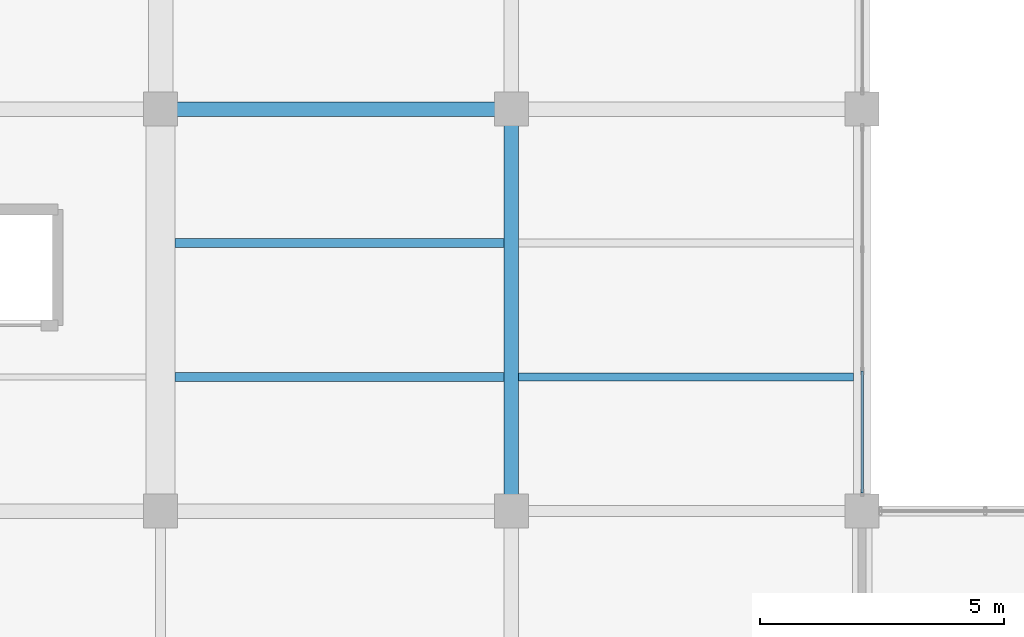
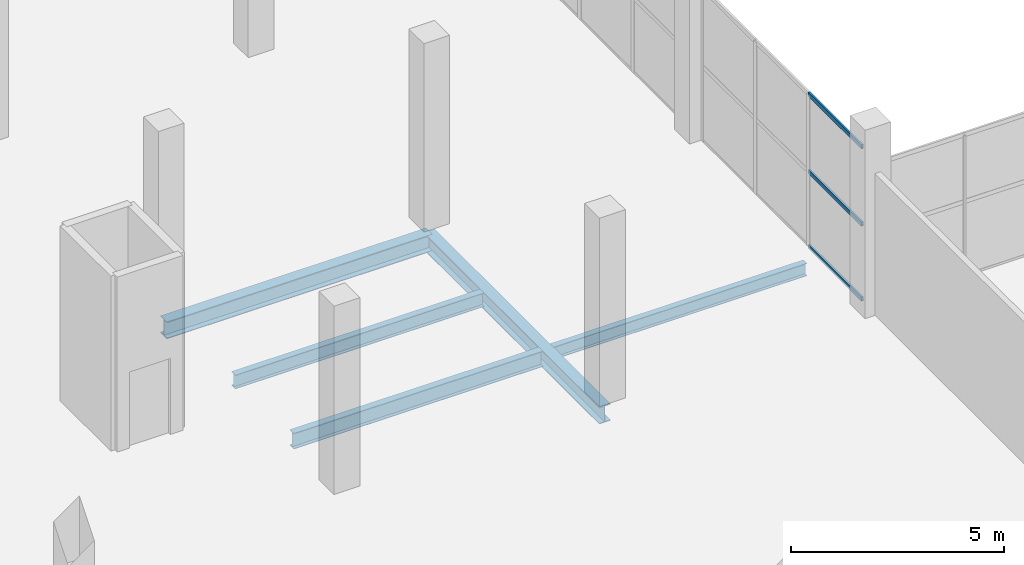
# One storey, part 66 of 147: 5 beams, 3 members, 1 element without a shape of its own.
"""IFC4 building model written with IfcOpenShell, lengths in metres."""

import ifcopenshell
import ifcopenshell.guid

model = None  # the IFC model being written
_history = None  # IfcOwnerHistory: only IFC2X3 demands one
_inside = {}  # id of a spatial element -> (the spatial element, [elements in it])
_under = {}  # id of a project, library or spatial element -> (it, [spatial elements below it])
_declared = {}  # id of a project -> (the project, [libraries it declares])
_typed = {}  # id of a type object -> (the type object, [elements of that type])
_made_of = {}  # id of a material, layer set ... -> (it, [elements and type objects made of it])


def new_model(schema):
    """Start an empty IFC model of exactly this schema.

    Asked for "IFC4X3", IfcOpenShell would pick the latest addendum, in which some entities
    have other attributes; the version numbers below select the first issue.
    IFC2X3 requires an IfcOwnerHistory on every rooted entity: one is made here for all.
    """
    global model, _history
    if schema == "IFC4X3":
        model = ifcopenshell.file(schema_version=(4, 3, 0, 0))
    else:
        model = ifcopenshell.file(schema=schema)
    _inside.clear()
    _under.clear()
    _declared.clear()
    _typed.clear()
    _made_of.clear()
    _history = None
    if model.schema == "IFC2X3":
        org = make("IfcOrganization", Name="unknown")
        user = make(
            "IfcPersonAndOrganization",
            ThePerson=make("IfcPerson", FamilyName="unknown"),
            TheOrganization=org,
        )
        app = make(
            "IfcApplication",
            ApplicationDeveloper=org,
            Version="unknown",
            ApplicationFullName="unknown",
            ApplicationIdentifier="unknown",
        )
        _history = make(
            "IfcOwnerHistory",
            OwningUser=user,
            OwningApplication=app,
            ChangeAction="ADDED",
            CreationDate=0,
        )
    return model


def make(cls, **values):
    """One entity of the class cls with the attributes given. An attribute that is None is left unset."""
    return model.create_entity(
        cls, **{name: value for name, value in values.items() if value is not None}
    )


def rooted(cls, **values):
    """An entity with a GlobalId (a new one), such as an element, a storey or a relation."""
    return make(cls, GlobalId=ifcopenshell.guid.new(), OwnerHistory=_history, **values)


def si_unit(unit_type, name, prefix=None):
    """IfcSIUnit, for example si_unit("LENGTHUNIT", "METRE", prefix="MILLI")."""
    return make("IfcSIUnit", UnitType=unit_type, Prefix=prefix, Name=name)


def assignment(units):
    """IfcUnitAssignment: the units of a project."""
    return None if units is None else make("IfcUnitAssignment", Units=units)


def point(xyz):
    """IfcCartesianPoint."""
    return None if xyz is None else make("IfcCartesianPoint", Coordinates=xyz)


def direction(xyz):
    """IfcDirection."""
    return None if xyz is None else make("IfcDirection", DirectionRatios=xyz)


def frame(location, z_axis=None, x_axis=None):
    """IfcAxis2Placement3D, a coordinate frame: its origin and axes. An axis left out is left unset."""
    return make(
        "IfcAxis2Placement3D",
        Location=point(location),
        Axis=direction(z_axis),
        RefDirection=direction(x_axis),
    )


def frame_2d(location, x_axis=None):
    """IfcAxis2Placement2D, a coordinate frame in the plane: its origin and x axis."""
    return make(
        "IfcAxis2Placement2D", Location=point(location), RefDirection=direction(x_axis)
    )


def origin():
    """The frame at (0, 0, 0) with its axes left unset."""
    return frame((0.0, 0.0, 0.0))


def origin_2d():
    """The frame at (0, 0) in the plane with its x axis left unset."""
    return frame_2d((0.0, 0.0))


def place(relative_to, where):
    """IfcLocalPlacement: puts the frame where relative to a parent placement (None: the world)."""
    return make(
        "IfcLocalPlacement", PlacementRelTo=relative_to, RelativePlacement=where
    )


def context(
    kind, dimensions, precision=None, world=None, true_north=None, identifier=None
):
    """IfcGeometricRepresentationContext, for example the 3D "Model" context."""
    return make(
        "IfcGeometricRepresentationContext",
        ContextIdentifier=identifier,
        ContextType=kind,
        CoordinateSpaceDimension=dimensions,
        Precision=precision,
        WorldCoordinateSystem=world,
        TrueNorth=true_north,
    )


def subcontext(parent, identifier, kind, view, scale=None):
    """IfcGeometricRepresentationSubContext, for example "Body" below "Model"."""
    return make(
        "IfcGeometricRepresentationSubContext",
        ContextIdentifier=identifier,
        ContextType=kind,
        ParentContext=parent,
        TargetScale=scale,
        TargetView=view,
    )


def project(units=None, contexts=None):
    """IfcProject with its units and contexts."""
    return rooted(
        "IfcProject",
        Name="project",
        RepresentationContexts=contexts,
        UnitsInContext=assignment(units),
    )


def spatial(cls, under=None, at=None, **own):
    """A site, building, storey or space (cls), placed at a placement, below another one or the project."""
    s = rooted(cls, ObjectPlacement=at, **own)
    if under is not None:
        _under.setdefault(under.id(), (under, []))[1].append(s)
    return s


def profile(cls, at=None, kind="AREA", **sizes):
    """A parametric profile (cls). Its sizes go by their IFC names, for example OverallWidth=200.0."""
    return make(cls, ProfileType=kind, Position=at, **sizes)


def hollow_rectangle(**sizes):
    """IfcRectangleHollowProfileDef."""
    return profile("IfcRectangleHollowProfileDef", **sizes)


def i_section(**sizes):
    """IfcIShapeProfileDef."""
    return profile("IfcIShapeProfileDef", **sizes)


def extrude(swept, where, along, depth):
    """IfcExtrudedAreaSolid: the profile swept, set in the frame where, extruded along a direction by depth."""
    return make(
        "IfcExtrudedAreaSolid",
        SweptArea=swept,
        Position=where,
        ExtrudedDirection=direction(along),
        Depth=depth,
    )


def shape(context_of_items, identifier, shape_type, items):
    """IfcShapeRepresentation: the items that make up one representation, for example the "Body"."""
    return make(
        "IfcShapeRepresentation",
        ContextOfItems=context_of_items,
        RepresentationIdentifier=identifier,
        RepresentationType=shape_type,
        Items=items,
    )


def material(Name=None, Category=None):
    """IfcMaterial."""
    return make("IfcMaterial", Name=Name, Category=Category)


def layer(
    of_material, thickness, ventilated=None, Name=None, Category=None, Priority=None
):
    """IfcMaterialLayer: one layer of a wall or slab, of a material (None: an air gap)."""
    return make(
        "IfcMaterialLayer",
        Material=of_material,
        LayerThickness=thickness,
        IsVentilated=ventilated,
        Name=Name,
        Category=Category,
        Priority=Priority,
    )


def layer_set(layers, Name=None):
    """IfcMaterialLayerSet."""
    return make("IfcMaterialLayerSet", MaterialLayers=layers, LayerSetName=Name)


def material_profile(
    of_material, cross_section, Name=None, Category=None, Priority=None
):
    """IfcMaterialProfile: a cross section and its material."""
    return make(
        "IfcMaterialProfile",
        Name=Name,
        Material=of_material,
        Profile=cross_section,
        Priority=Priority,
        Category=Category,
    )


def profile_set(profiles, Name=None, composite=None):
    """IfcMaterialProfileSet."""
    return make(
        "IfcMaterialProfileSet",
        Name=Name,
        MaterialProfiles=profiles,
        CompositeProfile=composite,
    )


def made_of(thing, what):
    """Note that an element or type object is made of a material, layer set ...; save() writes the relation."""
    if what is not None:
        _made_of.setdefault(what.id(), (what, []))[1].append(thing)
    return thing


def type_object(cls, material=None, **own):
    """A type object (cls), such as IfcWallType, which elements share."""
    return made_of(rooted(cls, **own), material)


def element(
    cls,
    number,
    at=None,
    inside=None,
    cuts=None,
    type_object=None,
    material=None,
    context=None,
    identifier="Body",
    shape_type=None,
    held_by="IfcProductDefinitionShape",
    body=None,
    shapes=None,
    **own,
):
    """One element of the class cls, such as IfcWall. Its Tag is "e" and its number.

    at: its placement. inside: the storey or other place that contains it. cuts: it is an
    opening in that element (IfcRelVoidsElement). A single representation is given by context,
    identifier, shape_type and body (its items); several are given by shapes. held_by: the class
    of the entity that holds the representations. save() writes the other relations.
    """
    e = rooted(cls, Tag="e%d" % number, ObjectPlacement=at, **own)
    if body is not None:
        shapes = [shape(context, identifier, shape_type, body)]
    if shapes is not None:
        e.Representation = make(held_by, Representations=shapes)
    if inside is not None:
        _inside.setdefault(inside.id(), (inside, []))[1].append(e)
    if cuts is not None:
        rooted(
            "IfcRelVoidsElement", RelatingBuildingElement=cuts, RelatedOpeningElement=e
        )
    if type_object is not None:
        _typed.setdefault(type_object.id(), (type_object, []))[1].append(e)
    return made_of(e, material)


def aggregate(whole, parts):
    """IfcRelAggregates: a whole, such as a stair, and the parts it consists of."""
    return rooted("IfcRelAggregates", RelatingObject=whole, RelatedObjects=parts)


def save(model, path):
    """Write the relations noted so far, then the file.

    IfcRelAggregates (storeys below a building ...), IfcRelContainedInSpatialStructure (elements
    in a storey), IfcRelDefinesByType, IfcRelAssociatesMaterial and IfcRelDeclares: one each for
    every whole, place, type object, material and project.
    """
    for whole, parts in _under.values():
        aggregate(whole, parts)
    for where, things in _inside.values():
        rooted(
            "IfcRelContainedInSpatialStructure",
            RelatedElements=things,
            RelatingStructure=where,
        )
    for kind, things in _typed.values():
        rooted("IfcRelDefinesByType", RelatedObjects=things, RelatingType=kind)
    for what, things in _made_of.values():
        rooted("IfcRelAssociatesMaterial", RelatedObjects=things, RelatingMaterial=what)
    for by, libraries in _declared.values():
        rooted("IfcRelDeclares", RelatingContext=by, RelatedDefinitions=libraries)
    model.write(path)


model = new_model("IFC4")

# Units and contexts
model_context = context("Model", 3, precision=1e-05, world=origin(), true_north=direction((0.0, 1.0)))
body_context = subcontext(model_context, "Body", "Model", "MODEL_VIEW")
ifc_project = project(units=[si_unit("LENGTHUNIT", "METRE"), si_unit("AREAUNIT", "SQUARE_METRE"), si_unit("VOLUMEUNIT", "CUBIC_METRE"), si_unit("PLANEANGLEUNIT", "RADIAN"), si_unit("MASSUNIT", "GRAM", prefix="KILO")], contexts=[model_context])

# Site, building, storey
site_placement = place(None, origin())
site = spatial("IfcSite", under=ifc_project, at=site_placement, CompositionType="ELEMENT")
building_placement = place(site_placement, origin())
building = spatial("IfcBuilding", under=site, at=building_placement, Name="Sundgate Opera House", CompositionType="ELEMENT")
storey_placement = place(building_placement, frame((0.0, 0.0, 6.0)))
storey = spatial("IfcBuildingStorey", under=building, at=storey_placement, Name="L01", CompositionType="ELEMENT", Elevation=6.0)

# Beams
ifc_material_1 = material(Name="Steel S355J2", Category="steel")
ifc_material_profile_1 = material_profile(ifc_material_1, i_section(OverallWidth=0.300048828125, OverallDepth=0.489990234375, WebThickness=0.011962890625, FlangeThickness=0.02294921875, at=origin_2d()), Name="HEA 500")
ifc_profile_set_1 = profile_set([ifc_material_profile_1], Name="Steel S355J2")
beam_type_1 = type_object("IfcBeamType", Name="BM-GR-HEA500", PredefinedType="BEAM", material=ifc_profile_set_1)
beam_1_placement = place(storey_placement, frame((117.0, 87.0, -0.544921875), z_axis=(0.0, 1.0, 0.0), x_axis=(-1.0, 0.0, 0.0)))
element("IfcBeam", 1, at=beam_1_placement, inside=storey, type_object=beam_type_1, Name="L01 Primary N-S Girder B1191", PredefinedType="BEAM", context=body_context, shape_type="SweptSolid", body=[
    extrude(i_section(OverallWidth=0.300048828125, OverallDepth=0.489990234375, WebThickness=0.011962890625, FlangeThickness=0.02294921875, at=origin_2d()), origin(), (0.0, 0.0, 1.0), 8.25),
])
beam_2_placement = place(storey_placement, frame((109.800048828125, 95.25, -0.544921875), z_axis=(1.0, 0.0, 0.0), x_axis=(0.0, 1.0, 0.0)))
element("IfcBeam", 2, at=beam_2_placement, inside=storey, type_object=beam_type_1, Name="L01 Primary E-W Girder B1411", PredefinedType="BEAM", context=body_context, shape_type="SweptSolid", body=[
    extrude(i_section(OverallWidth=0.300048828125, OverallDepth=0.489990234375, WebThickness=0.011962890625, FlangeThickness=0.02294921875, at=origin_2d()), origin(), (0.0, 0.0, 1.0), 7.199951171875),
])
ifc_material_2 = material(Name="Steel S355J2", Category="steel")
ifc_material_profile_2 = material_profile(ifc_material_2, i_section(OverallWidth=0.169921875, OverallDepth=0.360107421875, WebThickness=0.008056640625, FlangeThickness=0.0126953125, at=origin_2d()), Name="IPE 360")
ifc_profile_set_2 = profile_set([ifc_material_profile_2], Name="Steel S355J2")
beam_type_2 = type_object("IfcBeamType", Name="BM-JS-IPE360", PredefinedType="JOIST", material=ifc_profile_set_2)
beam_3_placement = place(storey_placement, frame((117.14990234375, 89.75, -0.47998046875), z_axis=(1.0, 0.0, 0.0), x_axis=(0.0, 1.0, 0.0)))
element("IfcBeam", 3, at=beam_3_placement, inside=storey, type_object=beam_type_2, Name="L01 Secondary Floor Joist B1668", PredefinedType="JOIST", context=body_context, shape_type="SweptSolid", body=[
    extrude(i_section(OverallWidth=0.169921875, OverallDepth=0.360107421875, WebThickness=0.008056640625, FlangeThickness=0.0126953125, at=origin_2d()), origin(), (0.0, 0.0, 1.0), 6.875),
])
ifc_material_3 = material(Name="Steel S355J2", Category="steel")
ifc_material_profile_3 = material_profile(ifc_material_3, i_section(OverallWidth=0.179931640625, OverallDepth=0.39990234375, WebThickness=0.008544921875, FlangeThickness=0.013427734375, at=origin_2d()), Name="IPE 400")
ifc_profile_set_3 = profile_set([ifc_material_profile_3], Name="Steel S355J2")
beam_type_3 = type_object("IfcBeamType", Name="BM-JS-IPE400", PredefinedType="JOIST", material=ifc_profile_set_3)
beam_4_placement = place(storey_placement, frame((110.10009765625, 92.5, -0.5), z_axis=(1.0, 0.0, 0.0), x_axis=(0.0, 1.0, 0.0)))
element("IfcBeam", 4, at=beam_4_placement, inside=storey, type_object=beam_type_3, Name="L01 Secondary Floor Joist B1667", PredefinedType="JOIST", context=body_context, shape_type="SweptSolid", body=[
    extrude(i_section(OverallWidth=0.179931640625, OverallDepth=0.39990234375, WebThickness=0.008544921875, FlangeThickness=0.013427734375, at=origin_2d()), origin(), (0.0, 0.0, 1.0), 6.75),
])
ifc_material_4 = material(Name="Steel S355J2", Category="steel")
ifc_material_profile_4 = material_profile(ifc_material_4, i_section(OverallWidth=0.18994140625, OverallDepth=0.449951171875, WebThickness=0.009521484375, FlangeThickness=0.0146484375, at=origin_2d()), Name="IPE 450")
ifc_profile_set_4 = profile_set([ifc_material_profile_4], Name="Steel S355J2")
beam_type_4 = type_object("IfcBeamType", Name="BM-JS-IPE450", PredefinedType="JOIST", material=ifc_profile_set_4)
beam_5_placement = place(storey_placement, frame((110.10009765625, 89.75, -0.52490234375), z_axis=(1.0, 0.0, 0.0), x_axis=(0.0, 1.0, 0.0)))
element("IfcBeam", 5, at=beam_5_placement, inside=storey, type_object=beam_type_4, Name="L01 Secondary Floor Joist B1666", PredefinedType="JOIST", context=body_context, shape_type="SweptSolid", body=[
    extrude(i_section(OverallWidth=0.18994140625, OverallDepth=0.449951171875, WebThickness=0.009521484375, FlangeThickness=0.0146484375, at=origin_2d()), origin(), (0.0, 0.0, 1.0), 6.75),
])

# Curtain wall, members
ifc_material_5 = material(Name="Anodized aluminium and low-iron glass", Category="aluminium")
ifc_layer = layer(ifc_material_5, 0.159912109375)
ifc_layer_set = layer_set([ifc_layer], Name="Anodized aluminium and low-iron glass")
curtain_wall_type = type_object("IfcCurtainWallType", Name="CW-STUDIO-DARK", PredefinedType="NOTDEFINED", material=ifc_layer_set)
curtain_wall_placement = place(storey_placement, origin())
curtain_wall = element("IfcCurtainWall", 6, at=curtain_wall_placement, inside=storey, type_object=curtain_wall_type, Name="L01 Curtain Wall CW102", PredefinedType="NOTDEFINED")
ifc_material_6 = material(Name="Anodized aluminium EN AW-6063", Category="aluminium")
ifc_material_profile_5 = material_profile(ifc_material_6, hollow_rectangle(XDim=0.054931640625, YDim=0.1201171875, WallThickness=0.00390625, at=origin_2d()), Name="CWT 120x55x4")
ifc_profile_set_5 = profile_set([ifc_material_profile_5], Name="Anodized aluminium EN AW-6063")
member_type = type_object("IfcMemberType", Name="CWT-ALU-120x55", PredefinedType="USERDEFINED", material=ifc_profile_set_5)
member_1_placement = place(storey_placement, frame((124.199951171875, 87.375, 0.0), z_axis=(0.0, 1.0, 0.0), x_axis=(-1.0, 0.0, 0.0)))
member_1 = element("IfcMember", 7, at=member_1_placement, type_object=member_type, Name="CW102 Transom 1", ObjectType="TRANSOM", PredefinedType="USERDEFINED", context=body_context, shape_type="SweptSolid", body=[
    extrude(hollow_rectangle(XDim=0.054931640625, YDim=0.1201171875, WallThickness=0.00390625, at=origin_2d()), origin(), (0.0, 0.0, 1.0), 2.5),
])
member_2_placement = place(storey_placement, frame((124.199951171875, 87.375, 2.14990234375), z_axis=(0.0, 1.0, 0.0), x_axis=(-1.0, 0.0, 0.0)))
member_2 = element("IfcMember", 8, at=member_2_placement, type_object=member_type, Name="CW102 Transom 2", ObjectType="TRANSOM", PredefinedType="USERDEFINED", context=body_context, shape_type="SweptSolid", body=[
    extrude(hollow_rectangle(XDim=0.054931640625, YDim=0.1201171875, WallThickness=0.00390625, at=origin_2d()), origin(), (0.0, 0.0, 1.0), 2.5),
])
member_3_placement = place(storey_placement, frame((124.199951171875, 87.375, 4.364990234375), z_axis=(0.0, 1.0, 0.0), x_axis=(-1.0, 0.0, 0.0)))
member_3 = element("IfcMember", 9, at=member_3_placement, type_object=member_type, Name="CW102 Transom 3", ObjectType="TRANSOM", PredefinedType="USERDEFINED", context=body_context, shape_type="SweptSolid", body=[
    extrude(hollow_rectangle(XDim=0.054931640625, YDim=0.1201171875, WallThickness=0.00390625, at=origin_2d()), origin(), (0.0, 0.0, 1.0), 2.5),
])
aggregate(curtain_wall, [member_1, member_2, member_3])

save(model, "model.ifc")
